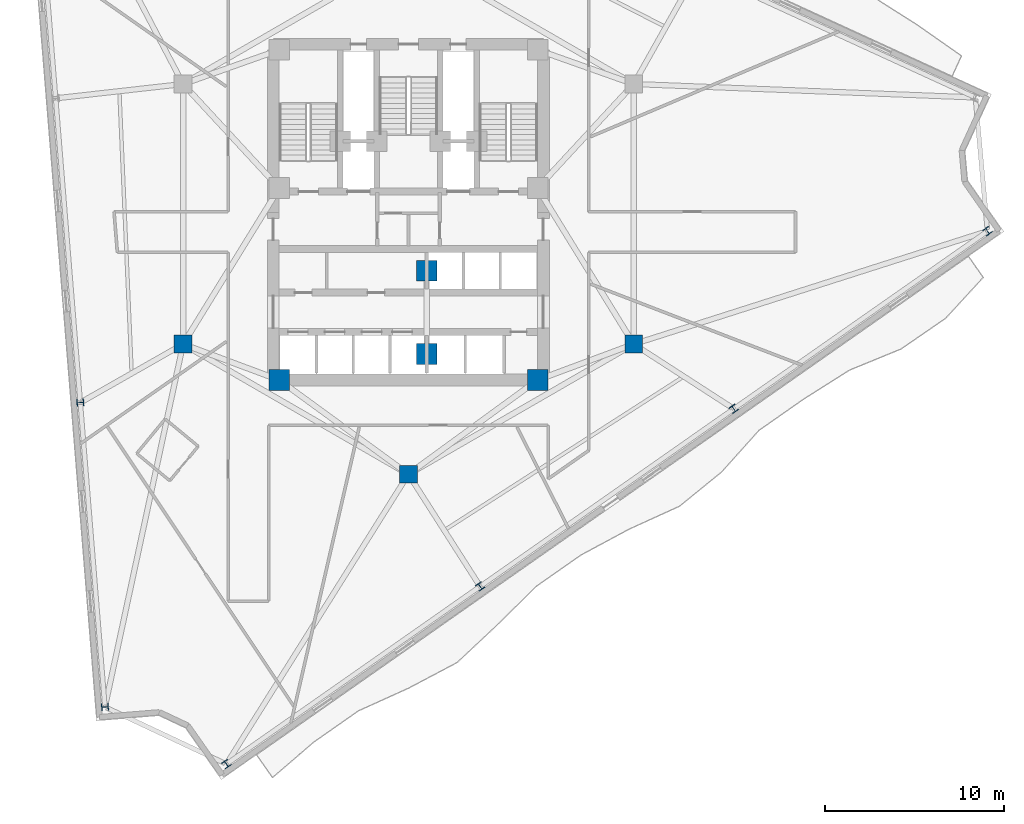
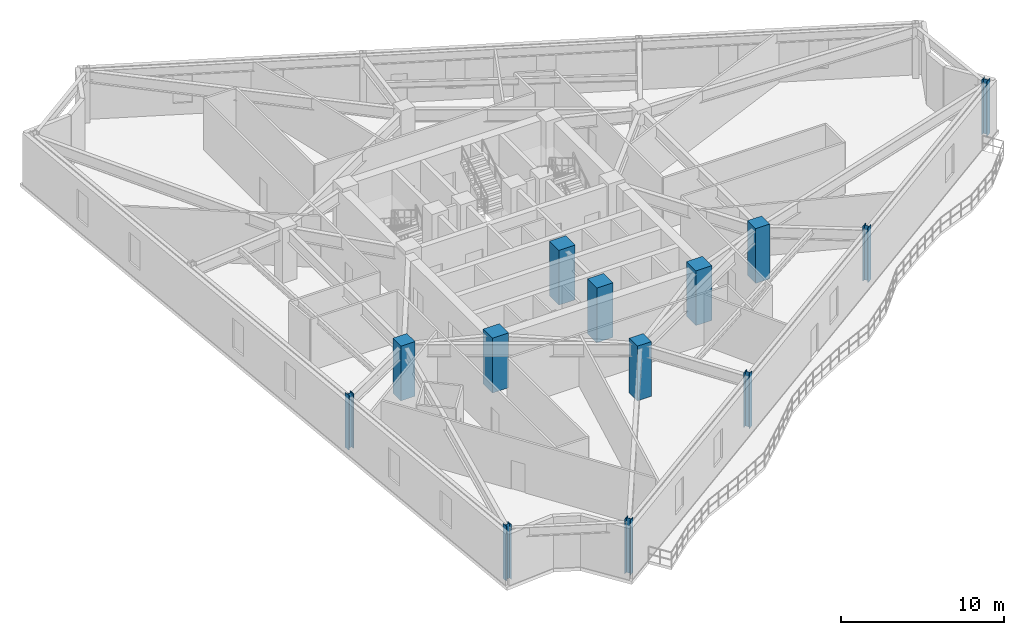
# One storey, part 1 of 10: 13 columns.
"""IFC4 building model written with IfcOpenShell, lengths in metres."""

from ifc_helpers import new_model, si_unit, direction, frame, origin, origin_2d, place, context, subcontext, project, spatial, rectangle, i_section, extrude, material, material_profile, profile_set, type_object, element, save


model = new_model("IFC4")

# Units and contexts
model_context = context("Model", 3, precision=1e-05, world=origin(), true_north=direction((0.0, 1.0)))
body_context = subcontext(model_context, "Body", "Model", "MODEL_VIEW")
ifc_project = project(units=[si_unit("LENGTHUNIT", "METRE"), si_unit("AREAUNIT", "SQUARE_METRE"), si_unit("VOLUMEUNIT", "CUBIC_METRE"), si_unit("PLANEANGLEUNIT", "RADIAN"), si_unit("MASSUNIT", "GRAM", prefix="KILO")], contexts=[model_context])

# Site, building, storey
site_placement = place(None, origin())
site = spatial("IfcSite", under=ifc_project, at=site_placement, CompositionType="ELEMENT")
building_placement = place(site_placement, origin())
building = spatial("IfcBuilding", under=site, at=building_placement, Name="Apsidion Concourse Tower", CompositionType="ELEMENT")
storey_placement = place(building_placement, frame((0.0, 0.0, 210.60009765625)))
storey = spatial("IfcBuildingStorey", under=building, at=storey_placement, Name="L49", CompositionType="ELEMENT", Elevation=210.60009765625)

# Columns
ifc_material_1 = material(Name="Concrete C50/60", Category="concrete")
ifc_material_profile_1 = material_profile(ifc_material_1, rectangle(XDim=1.0, YDim=1.0, at=origin_2d()), Name="RC 1000x1000")
ifc_profile_set_1 = profile_set([ifc_material_profile_1], Name="Concrete C50/60")
column_type_1 = type_object("IfcColumnType", Name="COL-RC-1000", PredefinedType="COLUMN", material=ifc_profile_set_1)
for number, where, z_axis, x_axis, name in (
    (1, (-12.56005859375, -7.25, 0.0), (0.0, 0.0, 1.0), (1.0, 0.0, 0.0), "L49 Interior Spine Column IC1"),
    (2, (12.56005859375, -7.25, 0.0), (0.0, 0.0, 1.0), (1.0, 0.0, 0.0), "L49 Interior Spine Column IC2"),
    (3, (0.0, -14.5, 0.0), (0.0, 0.0, 1.0), (1.0, 0.0, 0.0), "L49 Interior Spine Column IC6"),
):
    element("IfcColumn", number, at=place(storey_placement, frame(where, z_axis=z_axis, x_axis=x_axis)), inside=storey, type_object=column_type_1, Name=name, PredefinedType="COLUMN", context=body_context, shape_type="SweptSolid", body=[
        extrude(rectangle(XDim=1.0, YDim=1.0, at=origin_2d()), origin(), (0.0, 0.0, 1.0), 4.099853515625),
    ])
ifc_material_profile_2 = material_profile(ifc_material_1, rectangle(XDim=1.14990234375, YDim=1.14990234375, at=origin_2d()), Name="RC 1150x1150")
ifc_profile_set_2 = profile_set([ifc_material_profile_2], Name="Concrete C50/60")
column_type_2 = type_object("IfcColumnType", Name="COL-RC-1150", PredefinedType="COLUMN", material=ifc_profile_set_2)
for number, where, z_axis, x_axis, name in (
    (4, (-7.199951171875, -9.25, 0.0), (0.0, 0.0, 1.0), (1.0, 0.0, 0.0), "L49 Core Super-Column SC1"),
    (5, (7.199951171875, -9.25, 0.0), (0.0, 0.0, 1.0), (1.0, 0.0, 0.0), "L49 Core Super-Column SC2"),
    (6, (1.02490234375, -3.14990234375, 0.0), (0.0, 0.0, 1.0), (1.0, 0.0, 0.0), "L49 Core Super-Column CC5"),
    (7, (1.02490234375, -7.800048828125, 0.0), (0.0, 0.0, 1.0), (1.0, 0.0, 0.0), "L49 Core Super-Column CC6"),
):
    element("IfcColumn", number, at=place(storey_placement, frame(where, z_axis=z_axis, x_axis=x_axis)), inside=storey, type_object=column_type_2, Name=name, PredefinedType="COLUMN", context=body_context, shape_type="SweptSolid", body=[
        extrude(rectangle(XDim=1.14990234375, YDim=1.14990234375, at=origin_2d()), origin(), (0.0, 0.0, 1.0), 4.099853515625),
    ])
ifc_material_2 = material(Name="Structural steel ASTM A992 Grade 50", Category="steel")
ifc_material_profile_3 = material_profile(ifc_material_2, i_section(OverallWidth=0.39892578125, OverallDepth=0.385986328125, WebThickness=0.02099609375, FlangeThickness=0.033203125, at=origin_2d()), Name="W14X176")
ifc_profile_set_3 = profile_set([ifc_material_profile_3], Name="Structural steel ASTM A992 Grade 50")
column_type_3 = type_object("IfcColumnType", Name="COL-W14-176", PredefinedType="COLUMN", material=ifc_profile_set_3)
for number, where, z_axis, x_axis, name in (
    (8, (-18.28955078125, -10.510498046875, 0.0), (0.0, 0.0, 1.0), (-0.080720825512, 0.996736749763, 0.0), "L49 Rotated Perimeter Column PC03"),
    (9, (-16.915283203125, -27.47216796875, 0.0), (0.0, 0.0, 1.0), (-0.080720825512, 0.996736749763, 0.0), "L49 Rotated Perimeter Column PC04"),
    (10, (-10.14404296875, -30.65625, 0.0), (0.0, 0.0, 1.0), (0.819152044289, 0.573576436351, 0.0), "L49 Rotated Perimeter Column PC05"),
    (11, (3.996337890625, -20.755126953125, 0.0), (0.0, 0.0, 1.0), (0.819152044289, 0.573576436351, 0.0), "L49 Rotated Perimeter Column PC06"),
    (12, (18.13671875, -10.85400390625, 0.0), (0.0, 0.0, 1.0), (0.819152044289, 0.573576436351, 0.0), "L49 Rotated Perimeter Column PC07"),
    (13, (32.27685546875, -0.952880859375, 0.0), (0.0, 0.0, 1.0), (0.819152044289, 0.573576436351, 0.0), "L49 Rotated Perimeter Column PC08"),
):
    element("IfcColumn", number, at=place(storey_placement, frame(where, z_axis=z_axis, x_axis=x_axis)), inside=storey, type_object=column_type_3, Name=name, PredefinedType="COLUMN", context=body_context, shape_type="SweptSolid", body=[
        extrude(i_section(OverallWidth=0.39892578125, OverallDepth=0.385986328125, WebThickness=0.02099609375, FlangeThickness=0.033203125, at=origin_2d()), origin(), (0.0, 0.0, 1.0), 4.099853515625),
    ])

save(model, "model.ifc")
